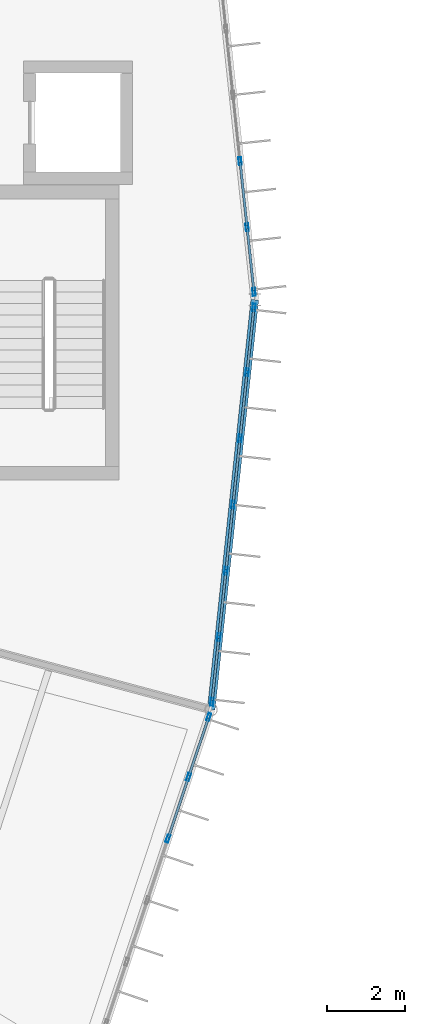
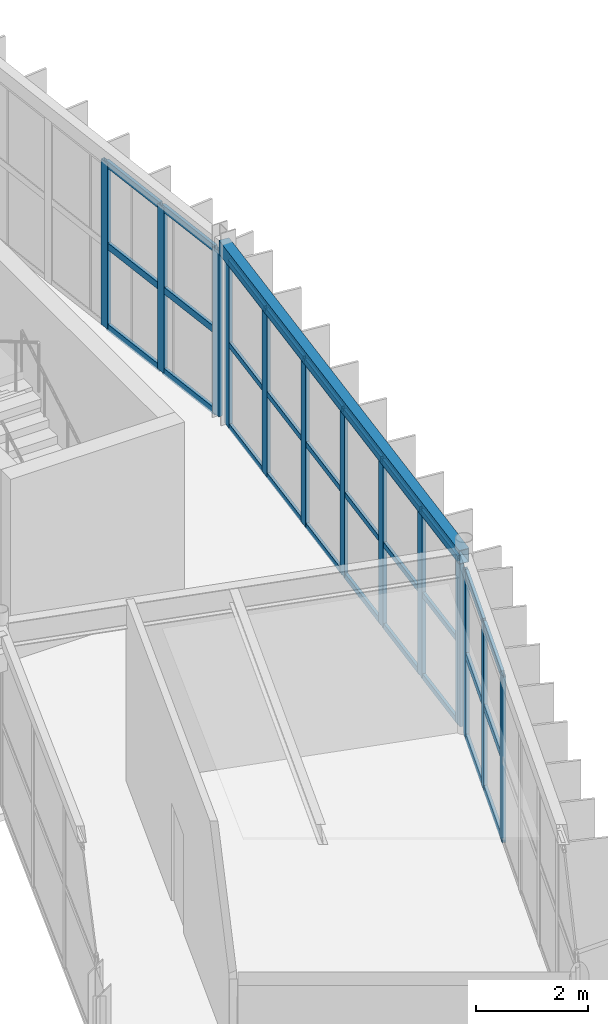
# One storey, part 65 of 148: 43 members, 1 beam, 3 elements without a shape of their own.
"""IFC4 building model written with IfcOpenShell, lengths in metres."""

import ifcopenshell
import ifcopenshell.guid

model = None  # the IFC model being written
_history = None  # IfcOwnerHistory: only IFC2X3 demands one
_inside = {}  # id of a spatial element -> (the spatial element, [elements in it])
_under = {}  # id of a project, library or spatial element -> (it, [spatial elements below it])
_declared = {}  # id of a project -> (the project, [libraries it declares])
_typed = {}  # id of a type object -> (the type object, [elements of that type])
_made_of = {}  # id of a material, layer set ... -> (it, [elements and type objects made of it])


def new_model(schema):
    """Start an empty IFC model of exactly this schema.

    Asked for "IFC4X3", IfcOpenShell would pick the latest addendum, in which some entities
    have other attributes; the version numbers below select the first issue.
    IFC2X3 requires an IfcOwnerHistory on every rooted entity: one is made here for all.
    """
    global model, _history
    if schema == "IFC4X3":
        model = ifcopenshell.file(schema_version=(4, 3, 0, 0))
    else:
        model = ifcopenshell.file(schema=schema)
    _inside.clear()
    _under.clear()
    _declared.clear()
    _typed.clear()
    _made_of.clear()
    _history = None
    if model.schema == "IFC2X3":
        org = make("IfcOrganization", Name="unknown")
        user = make(
            "IfcPersonAndOrganization",
            ThePerson=make("IfcPerson", FamilyName="unknown"),
            TheOrganization=org,
        )
        app = make(
            "IfcApplication",
            ApplicationDeveloper=org,
            Version="unknown",
            ApplicationFullName="unknown",
            ApplicationIdentifier="unknown",
        )
        _history = make(
            "IfcOwnerHistory",
            OwningUser=user,
            OwningApplication=app,
            ChangeAction="ADDED",
            CreationDate=0,
        )
    return model


def make(cls, **values):
    """One entity of the class cls with the attributes given. An attribute that is None is left unset."""
    return model.create_entity(
        cls, **{name: value for name, value in values.items() if value is not None}
    )


def rooted(cls, **values):
    """An entity with a GlobalId (a new one), such as an element, a storey or a relation."""
    return make(cls, GlobalId=ifcopenshell.guid.new(), OwnerHistory=_history, **values)


def si_unit(unit_type, name, prefix=None):
    """IfcSIUnit, for example si_unit("LENGTHUNIT", "METRE", prefix="MILLI")."""
    return make("IfcSIUnit", UnitType=unit_type, Prefix=prefix, Name=name)


def assignment(units):
    """IfcUnitAssignment: the units of a project."""
    return None if units is None else make("IfcUnitAssignment", Units=units)


def point(xyz):
    """IfcCartesianPoint."""
    return None if xyz is None else make("IfcCartesianPoint", Coordinates=xyz)


def direction(xyz):
    """IfcDirection."""
    return None if xyz is None else make("IfcDirection", DirectionRatios=xyz)


def frame(location, z_axis=None, x_axis=None):
    """IfcAxis2Placement3D, a coordinate frame: its origin and axes. An axis left out is left unset."""
    return make(
        "IfcAxis2Placement3D",
        Location=point(location),
        Axis=direction(z_axis),
        RefDirection=direction(x_axis),
    )


def frame_2d(location, x_axis=None):
    """IfcAxis2Placement2D, a coordinate frame in the plane: its origin and x axis."""
    return make(
        "IfcAxis2Placement2D", Location=point(location), RefDirection=direction(x_axis)
    )


def origin():
    """The frame at (0, 0, 0) with its axes left unset."""
    return frame((0.0, 0.0, 0.0))


def origin_2d():
    """The frame at (0, 0) in the plane with its x axis left unset."""
    return frame_2d((0.0, 0.0))


def place(relative_to, where):
    """IfcLocalPlacement: puts the frame where relative to a parent placement (None: the world)."""
    return make(
        "IfcLocalPlacement", PlacementRelTo=relative_to, RelativePlacement=where
    )


def context(
    kind, dimensions, precision=None, world=None, true_north=None, identifier=None
):
    """IfcGeometricRepresentationContext, for example the 3D "Model" context."""
    return make(
        "IfcGeometricRepresentationContext",
        ContextIdentifier=identifier,
        ContextType=kind,
        CoordinateSpaceDimension=dimensions,
        Precision=precision,
        WorldCoordinateSystem=world,
        TrueNorth=true_north,
    )


def subcontext(parent, identifier, kind, view, scale=None):
    """IfcGeometricRepresentationSubContext, for example "Body" below "Model"."""
    return make(
        "IfcGeometricRepresentationSubContext",
        ContextIdentifier=identifier,
        ContextType=kind,
        ParentContext=parent,
        TargetScale=scale,
        TargetView=view,
    )


def project(units=None, contexts=None):
    """IfcProject with its units and contexts."""
    return rooted(
        "IfcProject",
        Name="project",
        RepresentationContexts=contexts,
        UnitsInContext=assignment(units),
    )


def spatial(cls, under=None, at=None, **own):
    """A site, building, storey or space (cls), placed at a placement, below another one or the project."""
    s = rooted(cls, ObjectPlacement=at, **own)
    if under is not None:
        _under.setdefault(under.id(), (under, []))[1].append(s)
    return s


def profile(cls, at=None, kind="AREA", **sizes):
    """A parametric profile (cls). Its sizes go by their IFC names, for example OverallWidth=200.0."""
    return make(cls, ProfileType=kind, Position=at, **sizes)


def hollow_rectangle(**sizes):
    """IfcRectangleHollowProfileDef."""
    return profile("IfcRectangleHollowProfileDef", **sizes)


def extrude(swept, where, along, depth):
    """IfcExtrudedAreaSolid: the profile swept, set in the frame where, extruded along a direction by depth."""
    return make(
        "IfcExtrudedAreaSolid",
        SweptArea=swept,
        Position=where,
        ExtrudedDirection=direction(along),
        Depth=depth,
    )


def shape(context_of_items, identifier, shape_type, items):
    """IfcShapeRepresentation: the items that make up one representation, for example the "Body"."""
    return make(
        "IfcShapeRepresentation",
        ContextOfItems=context_of_items,
        RepresentationIdentifier=identifier,
        RepresentationType=shape_type,
        Items=items,
    )


def material(Name=None, Category=None):
    """IfcMaterial."""
    return make("IfcMaterial", Name=Name, Category=Category)


def material_profile(
    of_material, cross_section, Name=None, Category=None, Priority=None
):
    """IfcMaterialProfile: a cross section and its material."""
    return make(
        "IfcMaterialProfile",
        Name=Name,
        Material=of_material,
        Profile=cross_section,
        Priority=Priority,
        Category=Category,
    )


def profile_set(profiles, Name=None, composite=None):
    """IfcMaterialProfileSet."""
    return make(
        "IfcMaterialProfileSet",
        Name=Name,
        MaterialProfiles=profiles,
        CompositeProfile=composite,
    )


def made_of(thing, what):
    """Note that an element or type object is made of a material, layer set ...; save() writes the relation."""
    if what is not None:
        _made_of.setdefault(what.id(), (what, []))[1].append(thing)
    return thing


def type_object(cls, material=None, **own):
    """A type object (cls), such as IfcWallType, which elements share."""
    return made_of(rooted(cls, **own), material)


def element(
    cls,
    number,
    at=None,
    inside=None,
    cuts=None,
    type_object=None,
    material=None,
    context=None,
    identifier="Body",
    shape_type=None,
    held_by="IfcProductDefinitionShape",
    body=None,
    shapes=None,
    **own,
):
    """One element of the class cls, such as IfcWall. Its Tag is "e" and its number.

    at: its placement. inside: the storey or other place that contains it. cuts: it is an
    opening in that element (IfcRelVoidsElement). A single representation is given by context,
    identifier, shape_type and body (its items); several are given by shapes. held_by: the class
    of the entity that holds the representations. save() writes the other relations.
    """
    e = rooted(cls, Tag="e%d" % number, ObjectPlacement=at, **own)
    if body is not None:
        shapes = [shape(context, identifier, shape_type, body)]
    if shapes is not None:
        e.Representation = make(held_by, Representations=shapes)
    if inside is not None:
        _inside.setdefault(inside.id(), (inside, []))[1].append(e)
    if cuts is not None:
        rooted(
            "IfcRelVoidsElement", RelatingBuildingElement=cuts, RelatedOpeningElement=e
        )
    if type_object is not None:
        _typed.setdefault(type_object.id(), (type_object, []))[1].append(e)
    return made_of(e, material)


def aggregate(whole, parts):
    """IfcRelAggregates: a whole, such as a stair, and the parts it consists of."""
    return rooted("IfcRelAggregates", RelatingObject=whole, RelatedObjects=parts)


def save(model, path):
    """Write the relations noted so far, then the file.

    IfcRelAggregates (storeys below a building ...), IfcRelContainedInSpatialStructure (elements
    in a storey), IfcRelDefinesByType, IfcRelAssociatesMaterial and IfcRelDeclares: one each for
    every whole, place, type object, material and project.
    """
    for whole, parts in _under.values():
        aggregate(whole, parts)
    for where, things in _inside.values():
        rooted(
            "IfcRelContainedInSpatialStructure",
            RelatedElements=things,
            RelatingStructure=where,
        )
    for kind, things in _typed.values():
        rooted("IfcRelDefinesByType", RelatedObjects=things, RelatingType=kind)
    for what, things in _made_of.values():
        rooted("IfcRelAssociatesMaterial", RelatedObjects=things, RelatingMaterial=what)
    for by, libraries in _declared.values():
        rooted("IfcRelDeclares", RelatingContext=by, RelatedDefinitions=libraries)
    model.write(path)


model = new_model("IFC4")

# Units and contexts
model_context = context("Model", 3, precision=1e-05, world=origin(), true_north=direction((0.0, 1.0)))
body_context = subcontext(model_context, "Body", "Model", "MODEL_VIEW")
ifc_project = project(units=[si_unit("LENGTHUNIT", "METRE"), si_unit("AREAUNIT", "SQUARE_METRE"), si_unit("VOLUMEUNIT", "CUBIC_METRE"), si_unit("PLANEANGLEUNIT", "RADIAN"), si_unit("MASSUNIT", "GRAM", prefix="KILO")], contexts=[model_context])

# Site, building, storey
site_placement = place(None, origin())
site = spatial("IfcSite", under=ifc_project, at=site_placement, CompositionType="ELEMENT")
building_placement = place(site_placement, origin())
building = spatial("IfcBuilding", under=site, at=building_placement, Name="Karori Crest Natural Sciences Institute", CompositionType="ELEMENT")
storey_placement = place(building_placement, frame((0.0, 0.0, 4.89990234375)))
storey = spatial("IfcBuildingStorey", under=building, at=storey_placement, Name="L01", CompositionType="ELEMENT", Elevation=4.89990234375)

# Beam
ifc_material_1 = material(Name="Hollow structural steel AS/NZS 1163 Grade C350", Category="steel")
ifc_material_profile_1 = material_profile(ifc_material_1, hollow_rectangle(XDim=0.199951171875, YDim=0.300048828125, WallThickness=0.010009765625, at=origin_2d()), Name="RHS300x200x10")
ifc_profile_set_1 = profile_set([ifc_material_profile_1], Name="Hollow structural steel AS/NZS 1163 Grade C350")
beam_type = type_object("IfcBeamType", Name="BT-15", PredefinedType="SPANDREL", material=ifc_profile_set_1)
beam_placement = place(storey_placement, frame((98.275634765625, 39.340087890625, 3.7900390625), z_axis=(0.105868278464, 0.994380162521, 0.0), x_axis=(-0.994380162521, 0.105868278464, 0.0)))
element("IfcBeam", 1, at=beam_placement, inside=storey, type_object=beam_type, Name="Beam B-0268", PredefinedType="SPANDREL", context=body_context, shape_type="SweptSolid", body=[
    extrude(hollow_rectangle(XDim=0.199951171875, YDim=0.300048828125, WallThickness=0.010009765625, at=origin_2d()), origin(), (0.0, 0.0, 1.0), 10.619384765625),
])

# Curtain wall, members
ifc_material_2 = material(Name="Anodised architectural aluminium 6063-T6", Category="aluminium")
curtain_wall_type_1 = type_object("IfcCurtainWallType", Name="CWT-01", PredefinedType="NOTDEFINED", material=ifc_material_2)
curtain_wall_1_placement = place(storey_placement, origin())
curtain_wall_1 = element("IfcCurtainWall", 2, at=curtain_wall_1_placement, inside=storey, type_object=curtain_wall_type_1, Name="Curtain wall CW-0031", PredefinedType="NOTDEFINED")
ifc_material_profile_2 = material_profile(ifc_material_2, hollow_rectangle(XDim=0.074951171875, YDim=0.199951171875, WallThickness=0.0048828125, at=origin_2d()), Name="CWM200x75x5")
ifc_profile_set_2 = profile_set([ifc_material_profile_2], Name="Anodised architectural aluminium 6063-T6")
member_type_1 = type_object("IfcMemberType", Name="CWM-02", PredefinedType="MULLION", material=ifc_profile_set_2)
member_1_placement = place(storey_placement, frame((99.02001953125, 53.46923828125, 0.0), z_axis=(0.0, 0.0, 1.0), x_axis=(0.994378742451, 0.105881615789, 0.0)))
member_1 = element("IfcMember", 3, at=member_1_placement, type_object=member_type_1, Name="CW-0031 mullion 5", PredefinedType="MULLION", context=body_context, shape_type="SweptSolid", body=[
    extrude(hollow_rectangle(XDim=0.074951171875, YDim=0.199951171875, WallThickness=0.0048828125, at=origin_2d()), origin(), (0.0, 0.0, 1.0), 3.625),
])
member_2_placement = place(storey_placement, frame((99.201416015625, 51.765380859375, 0.0), z_axis=(0.0, 0.0, 1.0), x_axis=(0.994378742451, 0.105881615789, 0.0)))
member_2 = element("IfcMember", 4, at=member_2_placement, type_object=member_type_1, Name="CW-0031 mullion 6", PredefinedType="MULLION", context=body_context, shape_type="SweptSolid", body=[
    extrude(hollow_rectangle(XDim=0.074951171875, YDim=0.199951171875, WallThickness=0.0048828125, at=origin_2d()), origin(), (0.0, 0.0, 1.0), 3.625),
])
member_3_placement = place(storey_placement, frame((99.37890625, 50.098876953125, 0.0), z_axis=(0.0, 0.0, 1.0), x_axis=(0.994378742451, 0.105881615789, 0.0)))
member_3 = element("IfcMember", 5, at=member_3_placement, type_object=member_type_1, Name="CW-0031 mullion 7", PredefinedType="MULLION", context=body_context, shape_type="SweptSolid", body=[
    extrude(hollow_rectangle(XDim=0.074951171875, YDim=0.199951171875, WallThickness=0.0048828125, at=origin_2d()), origin(), (0.0, 0.0, 1.0), 3.625),
])

curtain_wall_type_2 = type_object("IfcCurtainWallType", Name="CWT-03", PredefinedType="NOTDEFINED", material=ifc_material_2)
curtain_wall_2_placement = place(storey_placement, origin())
curtain_wall_2 = element("IfcCurtainWall", 6, at=curtain_wall_2_placement, inside=storey, type_object=curtain_wall_type_2, Name="Curtain wall CW-0062", PredefinedType="NOTDEFINED")
member_4_placement = place(storey_placement, frame((98.212890625, 39.15283203125, 0.0), z_axis=(0.0, 0.0, 1.0), x_axis=(0.948196219586, -0.317685267462, 0.0)))
member_4 = element("IfcMember", 7, at=member_4_placement, type_object=member_type_1, Name="CW-0062 mullion 1", PredefinedType="MULLION", context=body_context, shape_type="SweptSolid", body=[
    extrude(hollow_rectangle(XDim=0.074951171875, YDim=0.199951171875, WallThickness=0.0048828125, at=origin_2d()), origin(), (0.0, 0.0, 1.0), 3.625),
])
member_5_placement = place(storey_placement, frame((97.693115234375, 37.6015625, 0.0), z_axis=(0.0, 0.0, 1.0), x_axis=(0.948196219586, -0.317685267462, 0.0)))
member_5 = element("IfcMember", 8, at=member_5_placement, type_object=member_type_1, Name="CW-0062 mullion 2", PredefinedType="MULLION", context=body_context, shape_type="SweptSolid", body=[
    extrude(hollow_rectangle(XDim=0.074951171875, YDim=0.199951171875, WallThickness=0.0048828125, at=origin_2d()), origin(), (0.0, 0.0, 1.0), 3.625),
])
member_6_placement = place(storey_placement, frame((97.161376953125, 36.0146484375, 0.0), z_axis=(0.0, 0.0, 1.0), x_axis=(0.948196219586, -0.317685267462, 0.0)))
member_6 = element("IfcMember", 9, at=member_6_placement, type_object=member_type_1, Name="CW-0062 mullion 3", PredefinedType="MULLION", context=body_context, shape_type="SweptSolid", body=[
    extrude(hollow_rectangle(XDim=0.074951171875, YDim=0.199951171875, WallThickness=0.0048828125, at=origin_2d()), origin(), (0.0, 0.0, 1.0), 3.625),
])

curtain_wall_type_3 = type_object("IfcCurtainWallType", Name="CWT-04", PredefinedType="NOTDEFINED", material=ifc_material_2)
curtain_wall_3_placement = place(storey_placement, origin())
curtain_wall_3 = element("IfcCurtainWall", 10, at=curtain_wall_3_placement, inside=storey, type_object=curtain_wall_type_3, Name="Curtain wall CW-0064", PredefinedType="NOTDEFINED")
member_7_placement = place(storey_placement, frame((99.37890625, 49.701171875, 0.0), z_axis=(0.0, 0.0, 1.0), x_axis=(0.994378453478, -0.105884329618, 0.0)))
member_7 = element("IfcMember", 11, at=member_7_placement, type_object=member_type_1, Name="CW-0064 mullion 1", PredefinedType="MULLION", context=body_context, shape_type="SweptSolid", body=[
    extrude(hollow_rectangle(XDim=0.074951171875, YDim=0.199951171875, WallThickness=0.0048828125, at=origin_2d()), origin(), (0.0, 0.0, 1.0), 3.625),
])
member_8_placement = place(storey_placement, frame((99.201171875, 48.031982421875, 0.0), z_axis=(0.0, 0.0, 1.0), x_axis=(0.994378453478, -0.105884329618, 0.0)))
member_8 = element("IfcMember", 12, at=member_8_placement, type_object=member_type_1, Name="CW-0064 mullion 2", PredefinedType="MULLION", context=body_context, shape_type="SweptSolid", body=[
    extrude(hollow_rectangle(XDim=0.074951171875, YDim=0.199951171875, WallThickness=0.0048828125, at=origin_2d()), origin(), (0.0, 0.0, 1.0), 3.625),
])
member_9_placement = place(storey_placement, frame((99.019287109375, 46.325439453125, 0.0), z_axis=(0.0, 0.0, 1.0), x_axis=(0.994378453478, -0.105884329618, 0.0)))
member_9 = element("IfcMember", 13, at=member_9_placement, type_object=member_type_1, Name="CW-0064 mullion 3", PredefinedType="MULLION", context=body_context, shape_type="SweptSolid", body=[
    extrude(hollow_rectangle(XDim=0.074951171875, YDim=0.199951171875, WallThickness=0.0048828125, at=origin_2d()), origin(), (0.0, 0.0, 1.0), 3.625),
])
member_10_placement = place(storey_placement, frame((98.837646484375, 44.618896484375, 0.0), z_axis=(0.0, 0.0, 1.0), x_axis=(0.994378453478, -0.105884329618, 0.0)))
member_10 = element("IfcMember", 14, at=member_10_placement, type_object=member_type_1, Name="CW-0064 mullion 4", PredefinedType="MULLION", context=body_context, shape_type="SweptSolid", body=[
    extrude(hollow_rectangle(XDim=0.074951171875, YDim=0.199951171875, WallThickness=0.0048828125, at=origin_2d()), origin(), (0.0, 0.0, 1.0), 3.625),
])
member_11_placement = place(storey_placement, frame((98.656005859375, 42.912353515625, 0.0), z_axis=(0.0, 0.0, 1.0), x_axis=(0.994378453478, -0.105884329618, 0.0)))
member_11 = element("IfcMember", 15, at=member_11_placement, type_object=member_type_1, Name="CW-0064 mullion 5", PredefinedType="MULLION", context=body_context, shape_type="SweptSolid", body=[
    extrude(hollow_rectangle(XDim=0.074951171875, YDim=0.199951171875, WallThickness=0.0048828125, at=origin_2d()), origin(), (0.0, 0.0, 1.0), 3.625),
])
member_12_placement = place(storey_placement, frame((98.47412109375, 41.205810546875, 0.0), z_axis=(0.0, 0.0, 1.0), x_axis=(0.994378453478, -0.105884329618, 0.0)))
member_12 = element("IfcMember", 16, at=member_12_placement, type_object=member_type_1, Name="CW-0064 mullion 6", PredefinedType="MULLION", context=body_context, shape_type="SweptSolid", body=[
    extrude(hollow_rectangle(XDim=0.074951171875, YDim=0.199951171875, WallThickness=0.0048828125, at=origin_2d()), origin(), (0.0, 0.0, 1.0), 3.625),
])
member_13_placement = place(storey_placement, frame((98.29638671875, 39.53662109375, 0.0), z_axis=(0.0, 0.0, 1.0), x_axis=(0.994378453478, -0.105884329618, 0.0)))
member_13 = element("IfcMember", 17, at=member_13_placement, type_object=member_type_1, Name="CW-0064 mullion 7", PredefinedType="MULLION", context=body_context, shape_type="SweptSolid", body=[
    extrude(hollow_rectangle(XDim=0.074951171875, YDim=0.199951171875, WallThickness=0.0048828125, at=origin_2d()), origin(), (0.0, 0.0, 1.0), 3.625),
])
ifc_material_profile_3 = material_profile(ifc_material_2, hollow_rectangle(XDim=0.06005859375, YDim=0.1201171875, WallThickness=0.00390625, at=origin_2d()), Name="CWT120x60x4")
ifc_profile_set_3 = profile_set([ifc_material_profile_3], Name="Anodised architectural aluminium 6063-T6")
member_type_2 = type_object("IfcMemberType", Name="CWT-TR1", PredefinedType="USERDEFINED", material=ifc_profile_set_3)
member_14_placement = place(storey_placement, frame((99.374755859375, 49.663818359375, 0.030029296875), z_axis=(-0.105818086962, -0.994385504959, 0.0), x_axis=(0.994385504959, -0.105818086962, 0.0)))
member_14 = element("IfcMember", 18, at=member_14_placement, type_object=member_type_2, Name="CW-0064 transom 1.1", ObjectType="TRANSOM", PredefinedType="USERDEFINED", context=body_context, shape_type="SweptSolid", body=[
    extrude(hollow_rectangle(XDim=0.06005859375, YDim=0.1201171875, WallThickness=0.00390625, at=origin_2d()), origin(), (0.0, 0.0, 1.0), 1.603515625),
])
member_15_placement = place(storey_placement, frame((99.374755859375, 49.663818359375, 1.8125), z_axis=(-0.105818086962, -0.994385504959, 0.0), x_axis=(0.994385504959, -0.105818086962, 0.0)))
member_15 = element("IfcMember", 19, at=member_15_placement, type_object=member_type_2, Name="CW-0064 transom 1.2", ObjectType="TRANSOM", PredefinedType="USERDEFINED", context=body_context, shape_type="SweptSolid", body=[
    extrude(hollow_rectangle(XDim=0.06005859375, YDim=0.1201171875, WallThickness=0.00390625, at=origin_2d()), origin(), (0.0, 0.0, 1.0), 1.603515625),
])
member_16_placement = place(storey_placement, frame((99.374755859375, 49.663818359375, 3.59521484375), z_axis=(-0.105818086962, -0.994385504959, 0.0), x_axis=(0.994385504959, -0.105818086962, 0.0)))
member_16 = element("IfcMember", 20, at=member_16_placement, type_object=member_type_2, Name="CW-0064 transom 1.3", ObjectType="TRANSOM", PredefinedType="USERDEFINED", context=body_context, shape_type="SweptSolid", body=[
    extrude(hollow_rectangle(XDim=0.06005859375, YDim=0.1201171875, WallThickness=0.00390625, at=origin_2d()), origin(), (0.0, 0.0, 1.0), 1.603515625),
])
member_17_placement = place(storey_placement, frame((99.197021484375, 47.99462890625, 0.030029296875), z_axis=(-0.105776664792, -0.994389912049, 0.0), x_axis=(0.994389912049, -0.105776664792, 0.0)))
member_17 = element("IfcMember", 21, at=member_17_placement, type_object=member_type_2, Name="CW-0064 transom 2.1", ObjectType="TRANSOM", PredefinedType="USERDEFINED", context=body_context, shape_type="SweptSolid", body=[
    extrude(hollow_rectangle(XDim=0.06005859375, YDim=0.1201171875, WallThickness=0.00390625, at=origin_2d()), origin(), (0.0, 0.0, 1.0), 1.64111328125),
])
member_18_placement = place(storey_placement, frame((99.197021484375, 47.99462890625, 1.8125), z_axis=(-0.105776664792, -0.994389912049, 0.0), x_axis=(0.994389912049, -0.105776664792, 0.0)))
member_18 = element("IfcMember", 22, at=member_18_placement, type_object=member_type_2, Name="CW-0064 transom 2.2", ObjectType="TRANSOM", PredefinedType="USERDEFINED", context=body_context, shape_type="SweptSolid", body=[
    extrude(hollow_rectangle(XDim=0.06005859375, YDim=0.1201171875, WallThickness=0.00390625, at=origin_2d()), origin(), (0.0, 0.0, 1.0), 1.64111328125),
])
member_19_placement = place(storey_placement, frame((99.197021484375, 47.99462890625, 3.59521484375), z_axis=(-0.105776664792, -0.994389912049, 0.0), x_axis=(0.994389912049, -0.105776664792, 0.0)))
member_19 = element("IfcMember", 23, at=member_19_placement, type_object=member_type_2, Name="CW-0064 transom 2.3", ObjectType="TRANSOM", PredefinedType="USERDEFINED", context=body_context, shape_type="SweptSolid", body=[
    extrude(hollow_rectangle(XDim=0.06005859375, YDim=0.1201171875, WallThickness=0.00390625, at=origin_2d()), origin(), (0.0, 0.0, 1.0), 1.64111328125),
])
member_20_placement = place(storey_placement, frame((99.015380859375, 46.2880859375, 0.030029296875), z_axis=(-0.105923768436, -0.994374253126, 0.0), x_axis=(0.994374253126, -0.105923768436, 0.0)))
member_20 = element("IfcMember", 24, at=member_20_placement, type_object=member_type_2, Name="CW-0064 transom 3.1", ObjectType="TRANSOM", PredefinedType="USERDEFINED", context=body_context, shape_type="SweptSolid", body=[
    extrude(hollow_rectangle(XDim=0.06005859375, YDim=0.1201171875, WallThickness=0.00390625, at=origin_2d()), origin(), (0.0, 0.0, 1.0), 1.64111328125),
])
member_21_placement = place(storey_placement, frame((99.015380859375, 46.2880859375, 1.8125), z_axis=(-0.105923768436, -0.994374253126, 0.0), x_axis=(0.994374253126, -0.105923768436, 0.0)))
member_21 = element("IfcMember", 25, at=member_21_placement, type_object=member_type_2, Name="CW-0064 transom 3.2", ObjectType="TRANSOM", PredefinedType="USERDEFINED", context=body_context, shape_type="SweptSolid", body=[
    extrude(hollow_rectangle(XDim=0.06005859375, YDim=0.1201171875, WallThickness=0.00390625, at=origin_2d()), origin(), (0.0, 0.0, 1.0), 1.64111328125),
])
member_22_placement = place(storey_placement, frame((99.015380859375, 46.2880859375, 3.59521484375), z_axis=(-0.105923768436, -0.994374253126, 0.0), x_axis=(0.994374253126, -0.105923768436, 0.0)))
member_22 = element("IfcMember", 26, at=member_22_placement, type_object=member_type_2, Name="CW-0064 transom 3.3", ObjectType="TRANSOM", PredefinedType="USERDEFINED", context=body_context, shape_type="SweptSolid", body=[
    extrude(hollow_rectangle(XDim=0.06005859375, YDim=0.1201171875, WallThickness=0.00390625, at=origin_2d()), origin(), (0.0, 0.0, 1.0), 1.64111328125),
])
member_23_placement = place(storey_placement, frame((98.833740234375, 44.58154296875, 0.030029296875), z_axis=(-0.105923768436, -0.994374253126, 0.0), x_axis=(0.994374253126, -0.105923768436, 0.0)))
member_23 = element("IfcMember", 27, at=member_23_placement, type_object=member_type_2, Name="CW-0064 transom 4.1", ObjectType="TRANSOM", PredefinedType="USERDEFINED", context=body_context, shape_type="SweptSolid", body=[
    extrude(hollow_rectangle(XDim=0.06005859375, YDim=0.1201171875, WallThickness=0.00390625, at=origin_2d()), origin(), (0.0, 0.0, 1.0), 1.64111328125),
])
member_24_placement = place(storey_placement, frame((98.833740234375, 44.58154296875, 1.8125), z_axis=(-0.105923768436, -0.994374253126, 0.0), x_axis=(0.994374253126, -0.105923768436, 0.0)))
member_24 = element("IfcMember", 28, at=member_24_placement, type_object=member_type_2, Name="CW-0064 transom 4.2", ObjectType="TRANSOM", PredefinedType="USERDEFINED", context=body_context, shape_type="SweptSolid", body=[
    extrude(hollow_rectangle(XDim=0.06005859375, YDim=0.1201171875, WallThickness=0.00390625, at=origin_2d()), origin(), (0.0, 0.0, 1.0), 1.64111328125),
])
member_25_placement = place(storey_placement, frame((98.833740234375, 44.58154296875, 3.59521484375), z_axis=(-0.105923768436, -0.994374253126, 0.0), x_axis=(0.994374253126, -0.105923768436, 0.0)))
member_25 = element("IfcMember", 29, at=member_25_placement, type_object=member_type_2, Name="CW-0064 transom 4.3", ObjectType="TRANSOM", PredefinedType="USERDEFINED", context=body_context, shape_type="SweptSolid", body=[
    extrude(hollow_rectangle(XDim=0.06005859375, YDim=0.1201171875, WallThickness=0.00390625, at=origin_2d()), origin(), (0.0, 0.0, 1.0), 1.64111328125),
])
member_26_placement = place(storey_placement, frame((98.65185546875, 42.875, 0.030029296875), z_axis=(-0.105776664792, -0.994389912049, 0.0), x_axis=(0.994389912049, -0.105776664792, 0.0)))
member_26 = element("IfcMember", 30, at=member_26_placement, type_object=member_type_2, Name="CW-0064 transom 5.1", ObjectType="TRANSOM", PredefinedType="USERDEFINED", context=body_context, shape_type="SweptSolid", body=[
    extrude(hollow_rectangle(XDim=0.06005859375, YDim=0.1201171875, WallThickness=0.00390625, at=origin_2d()), origin(), (0.0, 0.0, 1.0), 1.64111328125),
])
member_27_placement = place(storey_placement, frame((98.65185546875, 42.875, 1.8125), z_axis=(-0.105776664792, -0.994389912049, 0.0), x_axis=(0.994389912049, -0.105776664792, 0.0)))
member_27 = element("IfcMember", 31, at=member_27_placement, type_object=member_type_2, Name="CW-0064 transom 5.2", ObjectType="TRANSOM", PredefinedType="USERDEFINED", context=body_context, shape_type="SweptSolid", body=[
    extrude(hollow_rectangle(XDim=0.06005859375, YDim=0.1201171875, WallThickness=0.00390625, at=origin_2d()), origin(), (0.0, 0.0, 1.0), 1.64111328125),
])
member_28_placement = place(storey_placement, frame((98.65185546875, 42.875, 3.59521484375), z_axis=(-0.105776664792, -0.994389912049, 0.0), x_axis=(0.994389912049, -0.105776664792, 0.0)))
member_28 = element("IfcMember", 32, at=member_28_placement, type_object=member_type_2, Name="CW-0064 transom 5.3", ObjectType="TRANSOM", PredefinedType="USERDEFINED", context=body_context, shape_type="SweptSolid", body=[
    extrude(hollow_rectangle(XDim=0.06005859375, YDim=0.1201171875, WallThickness=0.00390625, at=origin_2d()), origin(), (0.0, 0.0, 1.0), 1.64111328125),
])
member_29_placement = place(storey_placement, frame((98.47021484375, 41.16845703125, 0.030029296875), z_axis=(-0.105818086962, -0.994385504959, 0.0), x_axis=(0.994385504959, -0.105818086962, 0.0)))
member_29 = element("IfcMember", 33, at=member_29_placement, type_object=member_type_2, Name="CW-0064 transom 6.1", ObjectType="TRANSOM", PredefinedType="USERDEFINED", context=body_context, shape_type="SweptSolid", body=[
    extrude(hollow_rectangle(XDim=0.06005859375, YDim=0.1201171875, WallThickness=0.00390625, at=origin_2d()), origin(), (0.0, 0.0, 1.0), 1.603515625),
])
member_30_placement = place(storey_placement, frame((98.47021484375, 41.16845703125, 1.8125), z_axis=(-0.105818086962, -0.994385504959, 0.0), x_axis=(0.994385504959, -0.105818086962, 0.0)))
member_30 = element("IfcMember", 34, at=member_30_placement, type_object=member_type_2, Name="CW-0064 transom 6.2", ObjectType="TRANSOM", PredefinedType="USERDEFINED", context=body_context, shape_type="SweptSolid", body=[
    extrude(hollow_rectangle(XDim=0.06005859375, YDim=0.1201171875, WallThickness=0.00390625, at=origin_2d()), origin(), (0.0, 0.0, 1.0), 1.603515625),
])
member_31_placement = place(storey_placement, frame((98.47021484375, 41.16845703125, 3.59521484375), z_axis=(-0.105818086962, -0.994385504959, 0.0), x_axis=(0.994385504959, -0.105818086962, 0.0)))
member_31 = element("IfcMember", 35, at=member_31_placement, type_object=member_type_2, Name="CW-0064 transom 6.3", ObjectType="TRANSOM", PredefinedType="USERDEFINED", context=body_context, shape_type="SweptSolid", body=[
    extrude(hollow_rectangle(XDim=0.06005859375, YDim=0.1201171875, WallThickness=0.00390625, at=origin_2d()), origin(), (0.0, 0.0, 1.0), 1.603515625),
])
aggregate(curtain_wall_3, [member_7, member_8, member_9, member_10, member_11, member_12, member_13, member_14, member_15, member_16, member_17, member_18, member_19, member_20, member_21, member_22, member_23, member_24, member_25, member_26, member_27, member_28, member_29, member_30, member_31])

# Member
ifc_material_profile_4 = material_profile(ifc_material_2, hollow_rectangle(XDim=0.06494140625, YDim=0.14990234375, WallThickness=0.00390625, at=origin_2d()), Name="CWT150x65x4")
ifc_profile_set_4 = profile_set([ifc_material_profile_4], Name="Anodised architectural aluminium 6063-T6")
member_type_3 = type_object("IfcMemberType", Name="CWT-TR2", PredefinedType="USERDEFINED", material=ifc_profile_set_4)
member_32_placement = place(storey_placement, frame((99.02392578125, 53.43212890625, 0.03271484375), z_axis=(0.105933378201, -0.994373229418, 0.0), x_axis=(0.994373229418, 0.105933378201, 0.0)))
member_32 = element("IfcMember", 36, at=member_32_placement, type_object=member_type_3, Name="CW-0031 transom 5.1", ObjectType="TRANSOM", PredefinedType="USERDEFINED", context=body_context, shape_type="SweptSolid", body=[
    extrude(hollow_rectangle(XDim=0.06494140625, YDim=0.14990234375, WallThickness=0.00390625, at=origin_2d()), origin(), (0.0, 0.0, 1.0), 1.638671875),
])

member_33_placement = place(storey_placement, frame((99.02392578125, 53.43212890625, 1.8125), z_axis=(0.105933378201, -0.994373229418, 0.0), x_axis=(0.994373229418, 0.105933378201, 0.0)))
member_33 = element("IfcMember", 37, at=member_33_placement, type_object=member_type_3, Name="CW-0031 transom 5.2", ObjectType="TRANSOM", PredefinedType="USERDEFINED", context=body_context, shape_type="SweptSolid", body=[
    extrude(hollow_rectangle(XDim=0.06494140625, YDim=0.14990234375, WallThickness=0.00390625, at=origin_2d()), origin(), (0.0, 0.0, 1.0), 1.638671875),
])

member_34_placement = place(storey_placement, frame((99.02392578125, 53.43212890625, 3.592529296875), z_axis=(0.105933378201, -0.994373229418, 0.0), x_axis=(0.994373229418, 0.105933378201, 0.0)))
member_34 = element("IfcMember", 38, at=member_34_placement, type_object=member_type_3, Name="CW-0031 transom 5.3", ObjectType="TRANSOM", PredefinedType="USERDEFINED", context=body_context, shape_type="SweptSolid", body=[
    extrude(hollow_rectangle(XDim=0.06494140625, YDim=0.14990234375, WallThickness=0.00390625, at=origin_2d()), origin(), (0.0, 0.0, 1.0), 1.638671875),
])

member_35_placement = place(storey_placement, frame((99.205322265625, 51.72802734375, 0.03271484375), z_axis=(0.105827760466, -0.9943844755, 0.0), x_axis=(0.9943844755, 0.105827760466, 0.0)))
member_35 = element("IfcMember", 39, at=member_35_placement, type_object=member_type_3, Name="CW-0031 transom 6.1", ObjectType="TRANSOM", PredefinedType="USERDEFINED", context=body_context, shape_type="SweptSolid", body=[
    extrude(hollow_rectangle(XDim=0.06494140625, YDim=0.14990234375, WallThickness=0.00390625, at=origin_2d()), origin(), (0.0, 0.0, 1.0), 1.60107421875),
])

member_36_placement = place(storey_placement, frame((99.205322265625, 51.72802734375, 1.8125), z_axis=(0.105827760466, -0.9943844755, 0.0), x_axis=(0.9943844755, 0.105827760466, 0.0)))
member_36 = element("IfcMember", 40, at=member_36_placement, type_object=member_type_3, Name="CW-0031 transom 6.2", ObjectType="TRANSOM", PredefinedType="USERDEFINED", context=body_context, shape_type="SweptSolid", body=[
    extrude(hollow_rectangle(XDim=0.06494140625, YDim=0.14990234375, WallThickness=0.00390625, at=origin_2d()), origin(), (0.0, 0.0, 1.0), 1.60107421875),
])

member_37_placement = place(storey_placement, frame((99.205322265625, 51.72802734375, 3.592529296875), z_axis=(0.105827760466, -0.9943844755, 0.0), x_axis=(0.9943844755, 0.105827760466, 0.0)))
member_37 = element("IfcMember", 41, at=member_37_placement, type_object=member_type_3, Name="CW-0031 transom 6.3", ObjectType="TRANSOM", PredefinedType="USERDEFINED", context=body_context, shape_type="SweptSolid", body=[
    extrude(hollow_rectangle(XDim=0.06494140625, YDim=0.14990234375, WallThickness=0.00390625, at=origin_2d()), origin(), (0.0, 0.0, 1.0), 1.60107421875),
])

aggregate(curtain_wall_1, [member_1, member_2, member_3, member_32, member_33, member_34, member_35, member_36, member_37])

member_38_placement = place(storey_placement, frame((98.200927734375, 39.117431640625, 0.03271484375), z_axis=(-0.317634958397, -0.948213073736, 0.0), x_axis=(0.948213073736, -0.317634958397, 0.0)))
member_38 = element("IfcMember", 42, at=member_38_placement, type_object=member_type_3, Name="CW-0062 transom 1.1", ObjectType="TRANSOM", PredefinedType="USERDEFINED", context=body_context, shape_type="SweptSolid", body=[
    extrude(hollow_rectangle(XDim=0.06494140625, YDim=0.14990234375, WallThickness=0.00390625, at=origin_2d()), origin(), (0.0, 0.0, 1.0), 1.56103515625),
])

member_39_placement = place(storey_placement, frame((98.200927734375, 39.117431640625, 1.8125), z_axis=(-0.317634958397, -0.948213073736, 0.0), x_axis=(0.948213073736, -0.317634958397, 0.0)))
member_39 = element("IfcMember", 43, at=member_39_placement, type_object=member_type_3, Name="CW-0062 transom 1.2", ObjectType="TRANSOM", PredefinedType="USERDEFINED", context=body_context, shape_type="SweptSolid", body=[
    extrude(hollow_rectangle(XDim=0.06494140625, YDim=0.14990234375, WallThickness=0.00390625, at=origin_2d()), origin(), (0.0, 0.0, 1.0), 1.56103515625),
])

member_40_placement = place(storey_placement, frame((98.200927734375, 39.117431640625, 3.592529296875), z_axis=(-0.317634958397, -0.948213073736, 0.0), x_axis=(0.948213073736, -0.317634958397, 0.0)))
member_40 = element("IfcMember", 44, at=member_40_placement, type_object=member_type_3, Name="CW-0062 transom 1.3", ObjectType="TRANSOM", PredefinedType="USERDEFINED", context=body_context, shape_type="SweptSolid", body=[
    extrude(hollow_rectangle(XDim=0.06494140625, YDim=0.14990234375, WallThickness=0.00390625, at=origin_2d()), origin(), (0.0, 0.0, 1.0), 1.56103515625),
])

member_41_placement = place(storey_placement, frame((97.68115234375, 37.56591796875, 0.03271484375), z_axis=(-0.317647663217, -0.948208817747, 0.0), x_axis=(0.948208817747, -0.317647663217, 0.0)))
member_41 = element("IfcMember", 45, at=member_41_placement, type_object=member_type_3, Name="CW-0062 transom 2.1", ObjectType="TRANSOM", PredefinedType="USERDEFINED", context=body_context, shape_type="SweptSolid", body=[
    extrude(hollow_rectangle(XDim=0.06494140625, YDim=0.14990234375, WallThickness=0.00390625, at=origin_2d()), origin(), (0.0, 0.0, 1.0), 1.5986328125),
])

member_42_placement = place(storey_placement, frame((97.68115234375, 37.56591796875, 1.8125), z_axis=(-0.317647663217, -0.948208817747, 0.0), x_axis=(0.948208817747, -0.317647663217, 0.0)))
member_42 = element("IfcMember", 46, at=member_42_placement, type_object=member_type_3, Name="CW-0062 transom 2.2", ObjectType="TRANSOM", PredefinedType="USERDEFINED", context=body_context, shape_type="SweptSolid", body=[
    extrude(hollow_rectangle(XDim=0.06494140625, YDim=0.14990234375, WallThickness=0.00390625, at=origin_2d()), origin(), (0.0, 0.0, 1.0), 1.5986328125),
])

member_43_placement = place(storey_placement, frame((97.68115234375, 37.56591796875, 3.592529296875), z_axis=(-0.317647663217, -0.948208817747, 0.0), x_axis=(0.948208817747, -0.317647663217, 0.0)))
member_43 = element("IfcMember", 47, at=member_43_placement, type_object=member_type_3, Name="CW-0062 transom 2.3", ObjectType="TRANSOM", PredefinedType="USERDEFINED", context=body_context, shape_type="SweptSolid", body=[
    extrude(hollow_rectangle(XDim=0.06494140625, YDim=0.14990234375, WallThickness=0.00390625, at=origin_2d()), origin(), (0.0, 0.0, 1.0), 1.5986328125),
])

aggregate(curtain_wall_2, [member_4, member_5, member_6, member_38, member_39, member_40, member_41, member_42, member_43])

save(model, "model.ifc")
